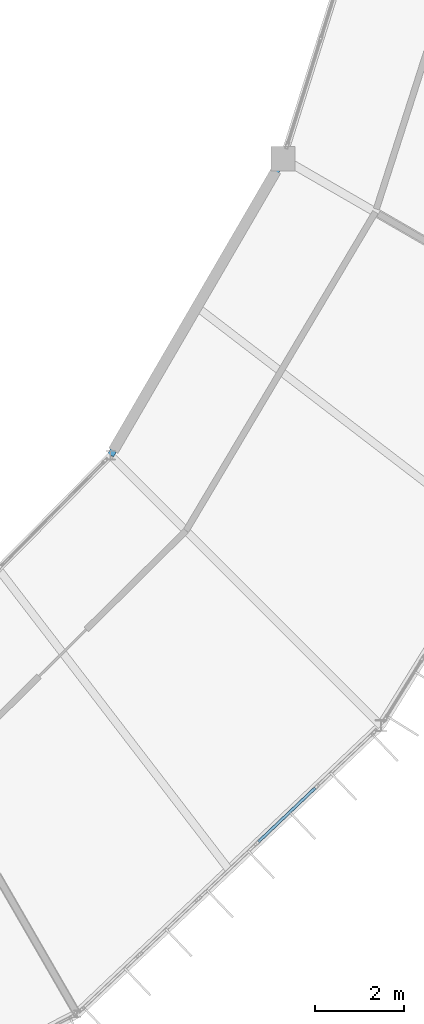
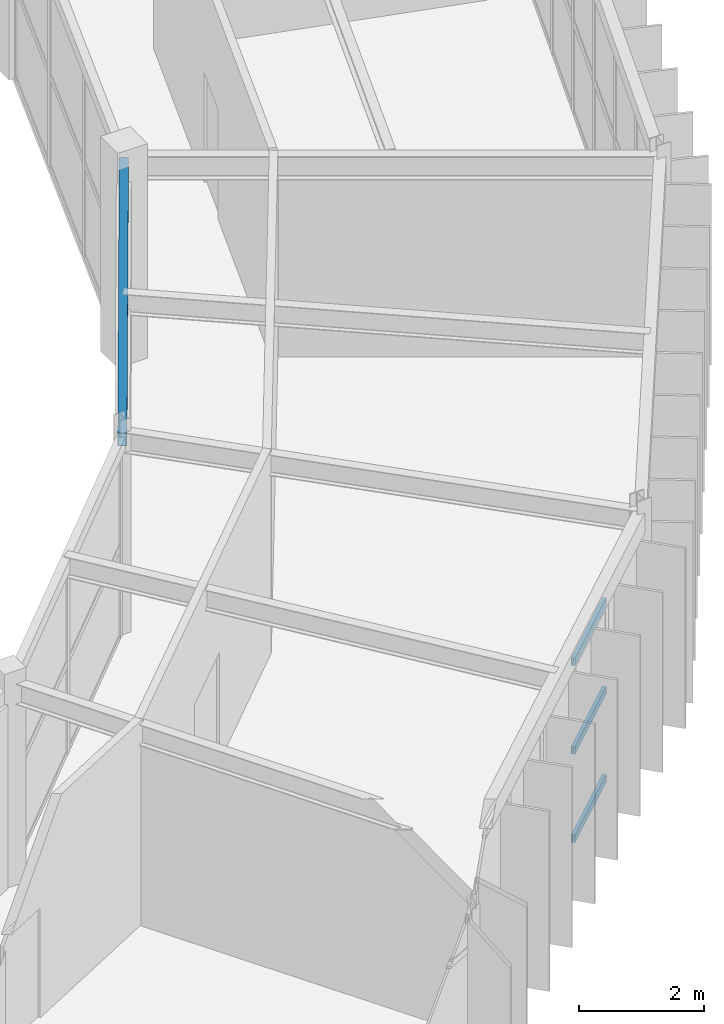
# One storey, part 39 of 106: 3 members, 1 beam, 1 element without a shape of its own.
"""IFC4 building model written with IfcOpenShell, lengths in metres."""

from ifc_helpers import new_model, si_unit, direction, frame, origin, origin_2d, place, context, subcontext, project, spatial, hollow_rectangle, extrude, material, material_profile, profile_set, type_object, element, aggregate, save


model = new_model("IFC4")

# Units and contexts
model_context = context("Model", 3, precision=1e-05, world=origin(), true_north=direction((0.0, 1.0)))
body_context = subcontext(model_context, "Body", "Model", "MODEL_VIEW")
ifc_project = project(units=[si_unit("LENGTHUNIT", "METRE"), si_unit("AREAUNIT", "SQUARE_METRE"), si_unit("VOLUMEUNIT", "CUBIC_METRE"), si_unit("PLANEANGLEUNIT", "RADIAN"), si_unit("MASSUNIT", "GRAM", prefix="KILO")], contexts=[model_context])

# Site, building, storey
site_placement = place(None, origin())
site = spatial("IfcSite", under=ifc_project, at=site_placement, CompositionType="ELEMENT")
building_placement = place(site_placement, origin())
building = spatial("IfcBuilding", under=site, at=building_placement, Name="Karori Crest Natural Sciences Institute", CompositionType="ELEMENT")
storey_placement = place(building_placement, frame((0.0, 0.0, 25.89990234375)))
storey = spatial("IfcBuildingStorey", under=building, at=storey_placement, Name="L06", CompositionType="ELEMENT", Elevation=25.89990234375)

# Beam
ifc_material_1 = material(Name="Hollow structural steel AS/NZS 1163 Grade C350", Category="steel")
ifc_material_profile_1 = material_profile(ifc_material_1, hollow_rectangle(XDim=0.14990234375, YDim=0.25, WallThickness=0.009033203125, at=origin_2d()), Name="RHS250x150x9")
ifc_profile_set_1 = profile_set([ifc_material_profile_1], Name="Hollow structural steel AS/NZS 1163 Grade C350")
beam_type = type_object("IfcBeamType", Name="BT-16", PredefinedType="SPANDREL", material=ifc_profile_set_1)
beam_placement = place(storey_placement, frame((83.6533203125, 27.131103515625, 3.739990234375), z_axis=(0.502658410953, 0.864485119536, 0.0), x_axis=(-0.864485119536, 0.502658410953, 0.0)))
element("IfcBeam", 1, at=beam_placement, inside=storey, type_object=beam_type, Name="Beam B-0708", PredefinedType="SPANDREL", context=body_context, shape_type="SweptSolid", body=[
    extrude(hollow_rectangle(XDim=0.14990234375, YDim=0.25, WallThickness=0.009033203125, at=origin_2d()), origin(), (0.0, 0.0, 1.0), 7.71435546875),
])

# Curtain wall, members
ifc_material_2 = material(Name="Anodised architectural aluminium 6063-T6", Category="aluminium")
curtain_wall_type = type_object("IfcCurtainWallType", Name="CWT-01", PredefinedType="NOTDEFINED", material=ifc_material_2)
curtain_wall_placement = place(storey_placement, origin())
curtain_wall = element("IfcCurtainWall", 2, at=curtain_wall_placement, inside=storey, type_object=curtain_wall_type, Name="Curtain wall CW-0214", PredefinedType="NOTDEFINED")
ifc_material_profile_2 = material_profile(ifc_material_2, hollow_rectangle(XDim=0.06494140625, YDim=0.14990234375, WallThickness=0.00390625, at=origin_2d()), Name="CWT150x65x4")
ifc_profile_set_2 = profile_set([ifc_material_profile_2], Name="Anodised architectural aluminium 6063-T6")
member_type = type_object("IfcMemberType", Name="CWT-TR2", PredefinedType="USERDEFINED", material=ifc_profile_set_2)
member_1_placement = place(storey_placement, frame((88.2578125, 19.649169921875, 0.03271484375), z_axis=(-0.725483196334, -0.688239879575, 0.0), x_axis=(0.688239879575, -0.725483196334, 0.0)))
member_1 = element("IfcMember", 3, at=member_1_placement, type_object=member_type, Name="CW-0214 transom 2.1", ObjectType="TRANSOM", PredefinedType="USERDEFINED", context=body_context, shape_type="SweptSolid", body=[
    extrude(hollow_rectangle(XDim=0.06494140625, YDim=0.14990234375, WallThickness=0.00390625, at=origin_2d()), origin(), (0.0, 0.0, 1.0), 1.763427734375),
])
member_2_placement = place(storey_placement, frame((88.2578125, 19.649169921875, 1.7626953125), z_axis=(-0.725483196334, -0.688239879575, 0.0), x_axis=(0.688239879575, -0.725483196334, 0.0)))
member_2 = element("IfcMember", 4, at=member_2_placement, type_object=member_type, Name="CW-0214 transom 2.2", ObjectType="TRANSOM", PredefinedType="USERDEFINED", context=body_context, shape_type="SweptSolid", body=[
    extrude(hollow_rectangle(XDim=0.06494140625, YDim=0.14990234375, WallThickness=0.00390625, at=origin_2d()), origin(), (0.0, 0.0, 1.0), 1.763427734375),
])
member_3_placement = place(storey_placement, frame((88.2578125, 19.649169921875, 3.49267578125), z_axis=(-0.725483196334, -0.688239879575, 0.0), x_axis=(0.688239879575, -0.725483196334, 0.0)))
member_3 = element("IfcMember", 5, at=member_3_placement, type_object=member_type, Name="CW-0214 transom 2.3", ObjectType="TRANSOM", PredefinedType="USERDEFINED", context=body_context, shape_type="SweptSolid", body=[
    extrude(hollow_rectangle(XDim=0.06494140625, YDim=0.14990234375, WallThickness=0.00390625, at=origin_2d()), origin(), (0.0, 0.0, 1.0), 1.763427734375),
])
aggregate(curtain_wall, [member_1, member_2, member_3])

save(model, "model.ifc")
